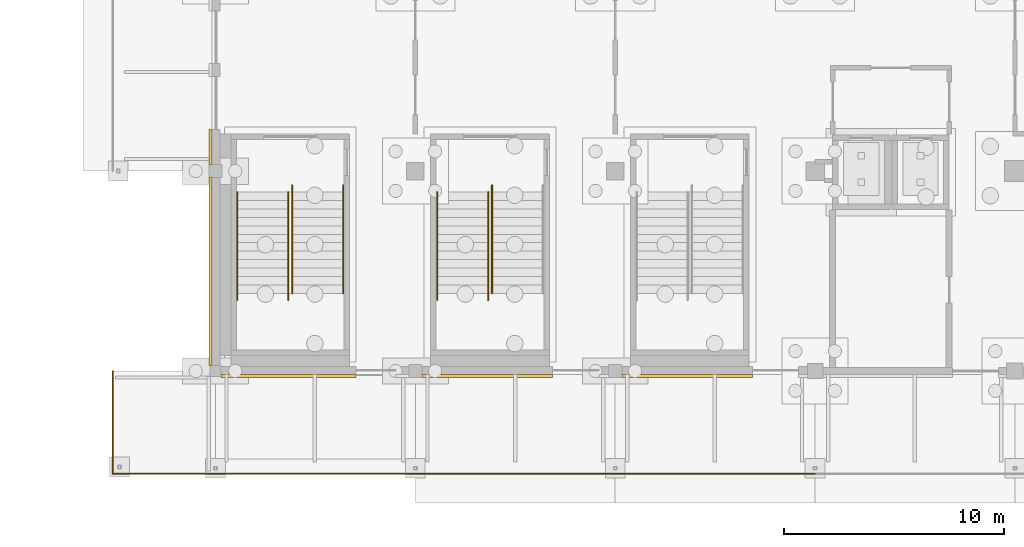
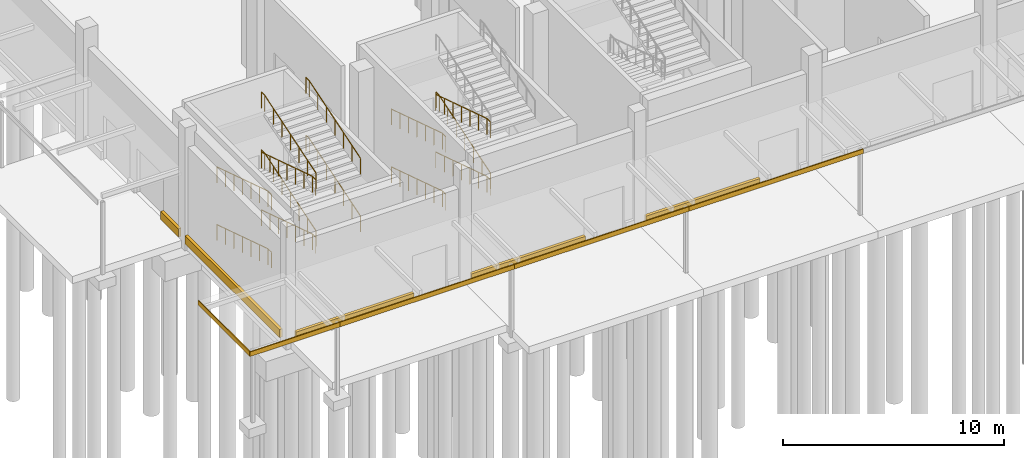
# One storey, part 101 of 129: 13 railings, 10 coverings.
"""IFC4 building model written with IfcOpenShell, lengths in metres."""

import ifcopenshell
import ifcopenshell.guid

model = None  # the IFC model being written
_history = None  # IfcOwnerHistory: only IFC2X3 demands one
_inside = {}  # id of a spatial element -> (the spatial element, [elements in it])
_under = {}  # id of a project, library or spatial element -> (it, [spatial elements below it])
_declared = {}  # id of a project -> (the project, [libraries it declares])
_typed = {}  # id of a type object -> (the type object, [elements of that type])
_made_of = {}  # id of a material, layer set ... -> (it, [elements and type objects made of it])


def new_model(schema):
    """Start an empty IFC model of exactly this schema.

    Asked for "IFC4X3", IfcOpenShell would pick the latest addendum, in which some entities
    have other attributes; the version numbers below select the first issue.
    IFC2X3 requires an IfcOwnerHistory on every rooted entity: one is made here for all.
    """
    global model, _history
    if schema == "IFC4X3":
        model = ifcopenshell.file(schema_version=(4, 3, 0, 0))
    else:
        model = ifcopenshell.file(schema=schema)
    _inside.clear()
    _under.clear()
    _declared.clear()
    _typed.clear()
    _made_of.clear()
    _history = None
    if model.schema == "IFC2X3":
        org = make("IfcOrganization", Name="unknown")
        user = make(
            "IfcPersonAndOrganization",
            ThePerson=make("IfcPerson", FamilyName="unknown"),
            TheOrganization=org,
        )
        app = make(
            "IfcApplication",
            ApplicationDeveloper=org,
            Version="unknown",
            ApplicationFullName="unknown",
            ApplicationIdentifier="unknown",
        )
        _history = make(
            "IfcOwnerHistory",
            OwningUser=user,
            OwningApplication=app,
            ChangeAction="ADDED",
            CreationDate=0,
        )
    return model


def make(cls, **values):
    """One entity of the class cls with the attributes given. An attribute that is None is left unset."""
    return model.create_entity(
        cls, **{name: value for name, value in values.items() if value is not None}
    )


def rooted(cls, **values):
    """An entity with a GlobalId (a new one), such as an element, a storey or a relation."""
    return make(cls, GlobalId=ifcopenshell.guid.new(), OwnerHistory=_history, **values)


def si_unit(unit_type, name, prefix=None):
    """IfcSIUnit, for example si_unit("LENGTHUNIT", "METRE", prefix="MILLI")."""
    return make("IfcSIUnit", UnitType=unit_type, Prefix=prefix, Name=name)


def assignment(units):
    """IfcUnitAssignment: the units of a project."""
    return None if units is None else make("IfcUnitAssignment", Units=units)


def point(xyz):
    """IfcCartesianPoint."""
    return None if xyz is None else make("IfcCartesianPoint", Coordinates=xyz)


def direction(xyz):
    """IfcDirection."""
    return None if xyz is None else make("IfcDirection", DirectionRatios=xyz)


def frame(location, z_axis=None, x_axis=None):
    """IfcAxis2Placement3D, a coordinate frame: its origin and axes. An axis left out is left unset."""
    return make(
        "IfcAxis2Placement3D",
        Location=point(location),
        Axis=direction(z_axis),
        RefDirection=direction(x_axis),
    )


def frame_2d(location, x_axis=None):
    """IfcAxis2Placement2D, a coordinate frame in the plane: its origin and x axis."""
    return make(
        "IfcAxis2Placement2D", Location=point(location), RefDirection=direction(x_axis)
    )


def origin():
    """The frame at (0, 0, 0) with its axes left unset."""
    return frame((0.0, 0.0, 0.0))


def origin_2d():
    """The frame at (0, 0) in the plane with its x axis left unset."""
    return frame_2d((0.0, 0.0))


def place(relative_to, where):
    """IfcLocalPlacement: puts the frame where relative to a parent placement (None: the world)."""
    return make(
        "IfcLocalPlacement", PlacementRelTo=relative_to, RelativePlacement=where
    )


def context(
    kind, dimensions, precision=None, world=None, true_north=None, identifier=None
):
    """IfcGeometricRepresentationContext, for example the 3D "Model" context."""
    return make(
        "IfcGeometricRepresentationContext",
        ContextIdentifier=identifier,
        ContextType=kind,
        CoordinateSpaceDimension=dimensions,
        Precision=precision,
        WorldCoordinateSystem=world,
        TrueNorth=true_north,
    )


def subcontext(parent, identifier, kind, view, scale=None):
    """IfcGeometricRepresentationSubContext, for example "Body" below "Model"."""
    return make(
        "IfcGeometricRepresentationSubContext",
        ContextIdentifier=identifier,
        ContextType=kind,
        ParentContext=parent,
        TargetScale=scale,
        TargetView=view,
    )


def project(units=None, contexts=None):
    """IfcProject with its units and contexts."""
    return rooted(
        "IfcProject",
        Name="project",
        RepresentationContexts=contexts,
        UnitsInContext=assignment(units),
    )


def spatial(cls, under=None, at=None, **own):
    """A site, building, storey or space (cls), placed at a placement, below another one or the project."""
    s = rooted(cls, ObjectPlacement=at, **own)
    if under is not None:
        _under.setdefault(under.id(), (under, []))[1].append(s)
    return s


def profile(cls, at=None, kind="AREA", **sizes):
    """A parametric profile (cls). Its sizes go by their IFC names, for example OverallWidth=200.0."""
    return make(cls, ProfileType=kind, Position=at, **sizes)


def rectangle(**sizes):
    """IfcRectangleProfileDef."""
    return profile("IfcRectangleProfileDef", **sizes)


def circle(**sizes):
    """IfcCircleProfileDef."""
    return profile("IfcCircleProfileDef", **sizes)


def extrude(swept, where, along, depth):
    """IfcExtrudedAreaSolid: the profile swept, set in the frame where, extruded along a direction by depth."""
    return make(
        "IfcExtrudedAreaSolid",
        SweptArea=swept,
        Position=where,
        ExtrudedDirection=direction(along),
        Depth=depth,
    )


def shape(context_of_items, identifier, shape_type, items):
    """IfcShapeRepresentation: the items that make up one representation, for example the "Body"."""
    return make(
        "IfcShapeRepresentation",
        ContextOfItems=context_of_items,
        RepresentationIdentifier=identifier,
        RepresentationType=shape_type,
        Items=items,
    )


def material(Name=None, Category=None):
    """IfcMaterial."""
    return make("IfcMaterial", Name=Name, Category=Category)


def layer(
    of_material, thickness, ventilated=None, Name=None, Category=None, Priority=None
):
    """IfcMaterialLayer: one layer of a wall or slab, of a material (None: an air gap)."""
    return make(
        "IfcMaterialLayer",
        Material=of_material,
        LayerThickness=thickness,
        IsVentilated=ventilated,
        Name=Name,
        Category=Category,
        Priority=Priority,
    )


def layer_set(layers, Name=None):
    """IfcMaterialLayerSet."""
    return make("IfcMaterialLayerSet", MaterialLayers=layers, LayerSetName=Name)


def made_of(thing, what):
    """Note that an element or type object is made of a material, layer set ...; save() writes the relation."""
    if what is not None:
        _made_of.setdefault(what.id(), (what, []))[1].append(thing)
    return thing


def type_object(cls, material=None, **own):
    """A type object (cls), such as IfcWallType, which elements share."""
    return made_of(rooted(cls, **own), material)


def element(
    cls,
    number,
    at=None,
    inside=None,
    cuts=None,
    type_object=None,
    material=None,
    context=None,
    identifier="Body",
    shape_type=None,
    held_by="IfcProductDefinitionShape",
    body=None,
    shapes=None,
    **own,
):
    """One element of the class cls, such as IfcWall. Its Tag is "e" and its number.

    at: its placement. inside: the storey or other place that contains it. cuts: it is an
    opening in that element (IfcRelVoidsElement). A single representation is given by context,
    identifier, shape_type and body (its items); several are given by shapes. held_by: the class
    of the entity that holds the representations. save() writes the other relations.
    """
    e = rooted(cls, Tag="e%d" % number, ObjectPlacement=at, **own)
    if body is not None:
        shapes = [shape(context, identifier, shape_type, body)]
    if shapes is not None:
        e.Representation = make(held_by, Representations=shapes)
    if inside is not None:
        _inside.setdefault(inside.id(), (inside, []))[1].append(e)
    if cuts is not None:
        rooted(
            "IfcRelVoidsElement", RelatingBuildingElement=cuts, RelatedOpeningElement=e
        )
    if type_object is not None:
        _typed.setdefault(type_object.id(), (type_object, []))[1].append(e)
    return made_of(e, material)


def aggregate(whole, parts):
    """IfcRelAggregates: a whole, such as a stair, and the parts it consists of."""
    return rooted("IfcRelAggregates", RelatingObject=whole, RelatedObjects=parts)


def save(model, path):
    """Write the relations noted so far, then the file.

    IfcRelAggregates (storeys below a building ...), IfcRelContainedInSpatialStructure (elements
    in a storey), IfcRelDefinesByType, IfcRelAssociatesMaterial and IfcRelDeclares: one each for
    every whole, place, type object, material and project.
    """
    for whole, parts in _under.values():
        aggregate(whole, parts)
    for where, things in _inside.values():
        rooted(
            "IfcRelContainedInSpatialStructure",
            RelatedElements=things,
            RelatingStructure=where,
        )
    for kind, things in _typed.values():
        rooted("IfcRelDefinesByType", RelatedObjects=things, RelatingType=kind)
    for what, things in _made_of.values():
        rooted("IfcRelAssociatesMaterial", RelatedObjects=things, RelatingMaterial=what)
    for by, libraries in _declared.values():
        rooted("IfcRelDeclares", RelatingContext=by, RelatedDefinitions=libraries)
    model.write(path)


model = new_model("IFC4")

# Units and contexts
model_context = context("Model", 3, precision=1e-05, world=origin(), true_north=direction((0.0, 1.0)))
body_context = subcontext(model_context, "Body", "Model", "MODEL_VIEW")
ifc_project = project(units=[si_unit("LENGTHUNIT", "METRE"), si_unit("AREAUNIT", "SQUARE_METRE"), si_unit("VOLUMEUNIT", "CUBIC_METRE"), si_unit("PLANEANGLEUNIT", "RADIAN"), si_unit("MASSUNIT", "GRAM", prefix="KILO")], contexts=[model_context])

# Site, building, storey
site_placement = place(None, origin())
site = spatial("IfcSite", under=ifc_project, at=site_placement, CompositionType="ELEMENT")
building_placement = place(site_placement, origin())
building = spatial("IfcBuilding", under=site, at=building_placement, Name="Shirokan Park Arena", CompositionType="ELEMENT")
storey_placement = place(building_placement, origin())
storey = spatial("IfcBuildingStorey", under=building, at=storey_placement, Name="L00", CompositionType="ELEMENT", Elevation=0.0)

# Coverings
ifc_material_1 = material(Name="Timber fascia (cedar)", Category="wood")
ifc_layer_1 = layer(ifc_material_1, 0.050048828125)
ifc_layer_set_1 = layer_set([ifc_layer_1], Name="Timber fascia (cedar) 50 mm")
covering_type_1 = type_object("IfcCoveringType", Name="Canopy fascia 50x250", PredefinedType="CLADDING", material=ifc_layer_set_1)
for number, where, z_axis, x_axis, name in (
    (1, (4.550048828125, -4.675048828125, 3.5), (0.0, 0.0, 1.0), (1.0, 0.0, 0.0), "Canopy fascia south bay 1"),
    (2, (13.64990234375, -4.675048828125, 3.5), (0.0, 0.0, 1.0), (1.0, 0.0, 0.0), "Canopy fascia south bay 2"),
    (3, (22.75, -4.675048828125, 3.5), (0.0, 0.0, 1.0), (1.0, 0.0, 0.0), "Canopy fascia south bay 3"),
):
    element("IfcCovering", number, at=place(storey_placement, frame(where, z_axis=z_axis, x_axis=x_axis)), inside=storey, type_object=covering_type_1, Name=name, PredefinedType="CLADDING", context=body_context, shape_type="SweptSolid", body=[
        extrude(rectangle(XDim=9.10009765625, YDim=0.050048828125, at=origin_2d()), origin(), (0.0, 0.0, 1.0), 0.25),
    ])
covering_1_placement = place(storey_placement, frame((-2.35009765625, -4.675048828125, 3.5), z_axis=(0.0, 0.0, 1.0), x_axis=(1.0, 0.0, 0.0)))
element("IfcCovering", 4, at=covering_1_placement, inside=storey, type_object=covering_type_1, Name="Canopy fascia SW corner 1", PredefinedType="CLADDING", context=body_context, shape_type="SweptSolid", body=[
    extrude(rectangle(XDim=4.699951171875, YDim=0.050048828125, at=origin_2d()), origin(), (0.0, 0.0, 1.0), 0.25),
])
covering_2_placement = place(storey_placement, frame((-4.675048828125, -2.324951171875, 3.5), z_axis=(0.0, 0.0, 1.0), x_axis=(1.0, 0.0, 0.0)))
element("IfcCovering", 5, at=covering_2_placement, inside=storey, type_object=covering_type_1, Name="Canopy fascia SW corner 2", PredefinedType="CLADDING", context=body_context, shape_type="SweptSolid", body=[
    extrude(rectangle(XDim=0.050048828125, YDim=4.64990234375, at=origin_2d()), origin(), (0.0, 0.0, 1.0), 0.25),
])

# Railings
ifc_material_2 = material(Name="Stainless steel", Category="steel")
railing_type = type_object("IfcRailingType", Name="Stair handrail 900", PredefinedType="HANDRAIL", material=ifc_material_2)
railing_1_placement = place(storey_placement, frame((0.989990234375, 8.14990234375, 0.12255859375)))
element("IfcRailing", 6, at=railing_1_placement, inside=storey, type_object=railing_type, Name="Handrail Exit Stair 1.A L00 to L01", PredefinedType="HANDRAIL", context=body_context, shape_type="SweptSolid", body=[
    extrude(circle(Radius=0.02392578125, at=origin_2d()), frame((0.0, 0.0, 0.8759765625), z_axis=(0.0, -0.952915858112, 0.303234838629), x_axis=(1.0, 0.0, 0.0)), (0.0, 0.0, 1.0), 1.615966796875),
    extrude(circle(Radius=0.02392578125, at=origin_2d()), frame((0.0, -1.539794921875, 1.36572265625), z_axis=(0.0, -0.952929747917, 0.303191186441), x_axis=(1.0, 0.0, 0.0)), (0.0, 0.0, 1.0), 1.6162109375),
    extrude(circle(Radius=0.02392578125, at=origin_2d()), frame((0.0, -3.079833984375, 1.85595703125), z_axis=(0.0, -0.952929747917, 0.303191186441), x_axis=(1.0, 0.0, 0.0)), (0.0, 0.0, 1.0), 1.6162109375),
    extrude(circle(Radius=0.02392578125, at=origin_2d()), frame((0.0, -4.619873046875, 2.345703125), z_axis=(0.0, -1.0, 0.0), x_axis=(1.0, 0.0, 0.0)), (0.0, 0.0, 1.0), 0.300048828125),
    extrude(circle(Radius=0.02099609375, at=origin_2d()), origin(), (0.0, 0.0, 1.0), 0.851806640625),
    extrude(circle(Radius=0.02099609375, at=origin_2d()), frame((0.0, -0.77001953125, 0.2451171875)), (0.0, 0.0, 1.0), 0.851806640625),
    extrude(circle(Radius=0.02099609375, at=origin_2d()), frame((0.0, -1.539794921875, 0.489990234375)), (0.0, 0.0, 1.0), 0.851806640625),
    extrude(circle(Radius=0.02099609375, at=origin_2d()), frame((0.0, -2.309814453125, 0.73486328125)), (0.0, 0.0, 1.0), 0.851806640625),
    extrude(circle(Radius=0.02099609375, at=origin_2d()), frame((0.0, -3.079833984375, 0.97998046875)), (0.0, 0.0, 1.0), 0.851806640625),
    extrude(circle(Radius=0.02099609375, at=origin_2d()), frame((0.0, -3.849853515625, 1.22509765625)), (0.0, 0.0, 1.0), 0.851806640625),
    extrude(circle(Radius=0.02099609375, at=origin_2d()), frame((0.0, -4.619873046875, 1.469970703125)), (0.0, 0.0, 1.0), 0.851806640625),
    extrude(circle(Radius=0.02099609375, at=origin_2d()), frame((0.0, -4.919921875, 1.469970703125)), (0.0, 0.0, 1.0), 0.851806640625),
])
railing_2_placement = place(storey_placement, frame((3.31005859375, 8.14990234375, 0.12255859375)))
element("IfcRailing", 7, at=railing_2_placement, inside=storey, type_object=railing_type, Name="Handrail Exit Stair 1.A L00 to L01", PredefinedType="HANDRAIL", context=body_context, shape_type="SweptSolid", body=[
    extrude(circle(Radius=0.02392578125, at=origin_2d()), frame((0.0, 0.0, 0.8759765625), z_axis=(0.0, -0.952915858112, 0.303234838629), x_axis=(1.0, 0.0, 0.0)), (0.0, 0.0, 1.0), 1.615966796875),
    extrude(circle(Radius=0.02392578125, at=origin_2d()), frame((0.0, -1.539794921875, 1.36572265625), z_axis=(0.0, -0.952929747917, 0.303191186441), x_axis=(1.0, 0.0, 0.0)), (0.0, 0.0, 1.0), 1.6162109375),
    extrude(circle(Radius=0.02392578125, at=origin_2d()), frame((0.0, -3.079833984375, 1.85595703125), z_axis=(0.0, -0.952929747917, 0.303191186441), x_axis=(1.0, 0.0, 0.0)), (0.0, 0.0, 1.0), 1.6162109375),
    extrude(circle(Radius=0.02392578125, at=origin_2d()), frame((0.0, -4.619873046875, 2.345703125), z_axis=(0.0, -1.0, 0.0), x_axis=(1.0, 0.0, 0.0)), (0.0, 0.0, 1.0), 0.300048828125),
    extrude(circle(Radius=0.02099609375, at=origin_2d()), origin(), (0.0, 0.0, 1.0), 0.851806640625),
    extrude(circle(Radius=0.02099609375, at=origin_2d()), frame((0.0, -0.77001953125, 0.2451171875)), (0.0, 0.0, 1.0), 0.851806640625),
    extrude(circle(Radius=0.02099609375, at=origin_2d()), frame((0.0, -1.539794921875, 0.489990234375)), (0.0, 0.0, 1.0), 0.851806640625),
    extrude(circle(Radius=0.02099609375, at=origin_2d()), frame((0.0, -2.309814453125, 0.73486328125)), (0.0, 0.0, 1.0), 0.851806640625),
    extrude(circle(Radius=0.02099609375, at=origin_2d()), frame((0.0, -3.079833984375, 0.97998046875)), (0.0, 0.0, 1.0), 0.851806640625),
    extrude(circle(Radius=0.02099609375, at=origin_2d()), frame((0.0, -3.849853515625, 1.22509765625)), (0.0, 0.0, 1.0), 0.851806640625),
    extrude(circle(Radius=0.02099609375, at=origin_2d()), frame((0.0, -4.619873046875, 1.469970703125)), (0.0, 0.0, 1.0), 0.851806640625),
    extrude(circle(Radius=0.02099609375, at=origin_2d()), frame((0.0, -4.919921875, 1.469970703125)), (0.0, 0.0, 1.0), 0.851806640625),
])
railing_3_placement = place(storey_placement, frame((3.489990234375, 3.530029296875, 1.715087890625)))
element("IfcRailing", 8, at=railing_3_placement, inside=storey, type_object=railing_type, Name="Handrail Exit Stair 1.A L00 to L01", PredefinedType="HANDRAIL", context=body_context, shape_type="SweptSolid", body=[
    extrude(circle(Radius=0.02392578125, at=origin_2d()), frame((0.0, 0.0, 0.8759765625), z_axis=(0.0, 0.952929747917, 0.303191186441), x_axis=(-1.0, 0.0, 0.0)), (0.0, 0.0, 1.0), 1.6162109375),
    extrude(circle(Radius=0.02392578125, at=origin_2d()), frame((0.0, 1.5400390625, 1.36572265625), z_axis=(0.0, 0.952929747917, 0.303191186441), x_axis=(-1.0, 0.0, 0.0)), (0.0, 0.0, 1.0), 1.6162109375),
    extrude(circle(Radius=0.02392578125, at=origin_2d()), frame((0.0, 3.080078125, 1.85595703125), z_axis=(0.0, 0.952915858112, 0.303234838629), x_axis=(-1.0, 0.0, 0.0)), (0.0, 0.0, 1.0), 1.615966796875),
    extrude(circle(Radius=0.02392578125, at=origin_2d()), frame((0.0, 4.619873046875, 2.345703125), z_axis=(0.0, 1.0, 0.0), x_axis=(-1.0, 0.0, 0.0)), (0.0, 0.0, 1.0), 0.300048828125),
    extrude(circle(Radius=0.02099609375, at=origin_2d()), origin(), (0.0, 0.0, 1.0), 0.851806640625),
    extrude(circle(Radius=0.02099609375, at=origin_2d()), frame((0.0, 0.77001953125, 0.2451171875)), (0.0, 0.0, 1.0), 0.851806640625),
    extrude(circle(Radius=0.02099609375, at=origin_2d()), frame((0.0, 1.5400390625, 0.489990234375)), (0.0, 0.0, 1.0), 0.851806640625),
    extrude(circle(Radius=0.02099609375, at=origin_2d()), frame((0.0, 2.31005859375, 0.73486328125)), (0.0, 0.0, 1.0), 0.851806640625),
    extrude(circle(Radius=0.02099609375, at=origin_2d()), frame((0.0, 3.080078125, 0.97998046875)), (0.0, 0.0, 1.0), 0.851806640625),
    extrude(circle(Radius=0.02099609375, at=origin_2d()), frame((0.0, 3.85009765625, 1.22509765625)), (0.0, 0.0, 1.0), 0.851806640625),
    extrude(circle(Radius=0.02099609375, at=origin_2d()), frame((0.0, 4.619873046875, 1.469970703125)), (0.0, 0.0, 1.0), 0.851806640625),
    extrude(circle(Radius=0.02099609375, at=origin_2d()), frame((0.0, 4.919921875, 1.469970703125)), (0.0, 0.0, 1.0), 0.851806640625),
])
railing_4_placement = place(storey_placement, frame((5.81005859375, 3.530029296875, 1.715087890625)))
element("IfcRailing", 9, at=railing_4_placement, inside=storey, type_object=railing_type, Name="Handrail Exit Stair 1.A L00 to L01", PredefinedType="HANDRAIL", context=body_context, shape_type="SweptSolid", body=[
    extrude(circle(Radius=0.02392578125, at=origin_2d()), frame((0.0, 0.0, 0.8759765625), z_axis=(0.0, 0.952929747917, 0.303191186441), x_axis=(-1.0, 0.0, 0.0)), (0.0, 0.0, 1.0), 1.6162109375),
    extrude(circle(Radius=0.02392578125, at=origin_2d()), frame((0.0, 1.5400390625, 1.36572265625), z_axis=(0.0, 0.952929747917, 0.303191186441), x_axis=(-1.0, 0.0, 0.0)), (0.0, 0.0, 1.0), 1.6162109375),
    extrude(circle(Radius=0.02392578125, at=origin_2d()), frame((0.0, 3.080078125, 1.85595703125), z_axis=(0.0, 0.952915858112, 0.303234838629), x_axis=(-1.0, 0.0, 0.0)), (0.0, 0.0, 1.0), 1.615966796875),
    extrude(circle(Radius=0.02392578125, at=origin_2d()), frame((0.0, 4.619873046875, 2.345703125), z_axis=(0.0, 1.0, 0.0), x_axis=(-1.0, 0.0, 0.0)), (0.0, 0.0, 1.0), 0.300048828125),
    extrude(circle(Radius=0.02099609375, at=origin_2d()), origin(), (0.0, 0.0, 1.0), 0.851806640625),
    extrude(circle(Radius=0.02099609375, at=origin_2d()), frame((0.0, 0.77001953125, 0.2451171875)), (0.0, 0.0, 1.0), 0.851806640625),
    extrude(circle(Radius=0.02099609375, at=origin_2d()), frame((0.0, 1.5400390625, 0.489990234375)), (0.0, 0.0, 1.0), 0.851806640625),
    extrude(circle(Radius=0.02099609375, at=origin_2d()), frame((0.0, 2.31005859375, 0.73486328125)), (0.0, 0.0, 1.0), 0.851806640625),
    extrude(circle(Radius=0.02099609375, at=origin_2d()), frame((0.0, 3.080078125, 0.97998046875)), (0.0, 0.0, 1.0), 0.851806640625),
    extrude(circle(Radius=0.02099609375, at=origin_2d()), frame((0.0, 3.85009765625, 1.22509765625)), (0.0, 0.0, 1.0), 0.851806640625),
    extrude(circle(Radius=0.02099609375, at=origin_2d()), frame((0.0, 4.619873046875, 1.469970703125)), (0.0, 0.0, 1.0), 0.851806640625),
    extrude(circle(Radius=0.02099609375, at=origin_2d()), frame((0.0, 4.919921875, 1.469970703125)), (0.0, 0.0, 1.0), 0.851806640625),
])
railing_5_placement = place(storey_placement, frame((0.989990234375, 8.14990234375, 3.3076171875)))
element("IfcRailing", 10, at=railing_5_placement, inside=storey, type_object=railing_type, Name="Handrail Exit Stair 1.A L00 to L01", PredefinedType="HANDRAIL", context=body_context, shape_type="SweptSolid", body=[
    extrude(circle(Radius=0.02392578125, at=origin_2d()), frame((0.0, 0.0, 0.8759765625), z_axis=(0.0, -0.952915858112, 0.303234838629), x_axis=(1.0, 0.0, 0.0)), (0.0, 0.0, 1.0), 1.615966796875),
    extrude(circle(Radius=0.02392578125, at=origin_2d()), frame((0.0, -1.539794921875, 1.36572265625), z_axis=(0.0, -0.952929747917, 0.303191186441), x_axis=(1.0, 0.0, 0.0)), (0.0, 0.0, 1.0), 1.6162109375),
    extrude(circle(Radius=0.02392578125, at=origin_2d()), frame((0.0, -3.079833984375, 1.85595703125), z_axis=(0.0, -0.952929747917, 0.303191186441), x_axis=(1.0, 0.0, 0.0)), (0.0, 0.0, 1.0), 1.6162109375),
    extrude(circle(Radius=0.02392578125, at=origin_2d()), frame((0.0, -4.619873046875, 2.345703125), z_axis=(0.0, -1.0, 0.0), x_axis=(1.0, 0.0, 0.0)), (0.0, 0.0, 1.0), 0.300048828125),
    extrude(circle(Radius=0.02099609375, at=origin_2d()), origin(), (0.0, 0.0, 1.0), 0.851806640625),
    extrude(circle(Radius=0.02099609375, at=origin_2d()), frame((0.0, -0.77001953125, 0.2451171875)), (0.0, 0.0, 1.0), 0.851806640625),
    extrude(circle(Radius=0.02099609375, at=origin_2d()), frame((0.0, -1.539794921875, 0.489990234375)), (0.0, 0.0, 1.0), 0.851806640625),
    extrude(circle(Radius=0.02099609375, at=origin_2d()), frame((0.0, -2.309814453125, 0.73486328125)), (0.0, 0.0, 1.0), 0.851806640625),
    extrude(circle(Radius=0.02099609375, at=origin_2d()), frame((0.0, -3.079833984375, 0.97998046875)), (0.0, 0.0, 1.0), 0.851806640625),
    extrude(circle(Radius=0.02099609375, at=origin_2d()), frame((0.0, -3.849853515625, 1.22509765625)), (0.0, 0.0, 1.0), 0.851806640625),
    extrude(circle(Radius=0.02099609375, at=origin_2d()), frame((0.0, -4.619873046875, 1.469970703125)), (0.0, 0.0, 1.0), 0.851806640625),
    extrude(circle(Radius=0.02099609375, at=origin_2d()), frame((0.0, -4.919921875, 1.469970703125)), (0.0, 0.0, 1.0), 0.851806640625),
])
railing_6_placement = place(storey_placement, frame((3.31005859375, 8.14990234375, 3.3076171875)))
element("IfcRailing", 11, at=railing_6_placement, inside=storey, type_object=railing_type, Name="Handrail Exit Stair 1.A L00 to L01", PredefinedType="HANDRAIL", context=body_context, shape_type="SweptSolid", body=[
    extrude(circle(Radius=0.02392578125, at=origin_2d()), frame((0.0, 0.0, 0.8759765625), z_axis=(0.0, -0.952915858112, 0.303234838629), x_axis=(1.0, 0.0, 0.0)), (0.0, 0.0, 1.0), 1.615966796875),
    extrude(circle(Radius=0.02392578125, at=origin_2d()), frame((0.0, -1.539794921875, 1.36572265625), z_axis=(0.0, -0.952929747917, 0.303191186441), x_axis=(1.0, 0.0, 0.0)), (0.0, 0.0, 1.0), 1.6162109375),
    extrude(circle(Radius=0.02392578125, at=origin_2d()), frame((0.0, -3.079833984375, 1.85595703125), z_axis=(0.0, -0.952929747917, 0.303191186441), x_axis=(1.0, 0.0, 0.0)), (0.0, 0.0, 1.0), 1.6162109375),
    extrude(circle(Radius=0.02392578125, at=origin_2d()), frame((0.0, -4.619873046875, 2.345703125), z_axis=(0.0, -1.0, 0.0), x_axis=(1.0, 0.0, 0.0)), (0.0, 0.0, 1.0), 0.300048828125),
    extrude(circle(Radius=0.02099609375, at=origin_2d()), origin(), (0.0, 0.0, 1.0), 0.851806640625),
    extrude(circle(Radius=0.02099609375, at=origin_2d()), frame((0.0, -0.77001953125, 0.2451171875)), (0.0, 0.0, 1.0), 0.851806640625),
    extrude(circle(Radius=0.02099609375, at=origin_2d()), frame((0.0, -1.539794921875, 0.489990234375)), (0.0, 0.0, 1.0), 0.851806640625),
    extrude(circle(Radius=0.02099609375, at=origin_2d()), frame((0.0, -2.309814453125, 0.73486328125)), (0.0, 0.0, 1.0), 0.851806640625),
    extrude(circle(Radius=0.02099609375, at=origin_2d()), frame((0.0, -3.079833984375, 0.97998046875)), (0.0, 0.0, 1.0), 0.851806640625),
    extrude(circle(Radius=0.02099609375, at=origin_2d()), frame((0.0, -3.849853515625, 1.22509765625)), (0.0, 0.0, 1.0), 0.851806640625),
    extrude(circle(Radius=0.02099609375, at=origin_2d()), frame((0.0, -4.619873046875, 1.469970703125)), (0.0, 0.0, 1.0), 0.851806640625),
    extrude(circle(Radius=0.02099609375, at=origin_2d()), frame((0.0, -4.919921875, 1.469970703125)), (0.0, 0.0, 1.0), 0.851806640625),
])
railing_7_placement = place(storey_placement, frame((3.489990234375, 3.530029296875, 4.89990234375)))
element("IfcRailing", 12, at=railing_7_placement, inside=storey, type_object=railing_type, Name="Handrail Exit Stair 1.A L00 to L01", PredefinedType="HANDRAIL", context=body_context, shape_type="SweptSolid", body=[
    extrude(circle(Radius=0.02392578125, at=origin_2d()), frame((0.0, 0.0, 0.8759765625), z_axis=(0.0, 0.952929747917, 0.303191186441), x_axis=(-1.0, 0.0, 0.0)), (0.0, 0.0, 1.0), 1.6162109375),
    extrude(circle(Radius=0.02392578125, at=origin_2d()), frame((0.0, 1.5400390625, 1.36572265625), z_axis=(0.0, 0.952929747917, 0.303191186441), x_axis=(-1.0, 0.0, 0.0)), (0.0, 0.0, 1.0), 1.6162109375),
    extrude(circle(Radius=0.02392578125, at=origin_2d()), frame((0.0, 3.080078125, 1.85595703125), z_axis=(0.0, 0.952872192083, 0.303372025004), x_axis=(-1.0, 0.0, 0.0)), (0.0, 0.0, 1.0), 1.615966796875),
    extrude(circle(Radius=0.02392578125, at=origin_2d()), frame((0.0, 4.619873046875, 2.34619140625), z_axis=(0.0, 1.0, 0.0), x_axis=(-1.0, 0.0, 0.0)), (0.0, 0.0, 1.0), 0.300048828125),
    extrude(circle(Radius=0.02099609375, at=origin_2d()), origin(), (0.0, 0.0, 1.0), 0.851806640625),
    extrude(circle(Radius=0.02099609375, at=origin_2d()), frame((0.0, 0.77001953125, 0.2451171875)), (0.0, 0.0, 1.0), 0.851806640625),
    extrude(circle(Radius=0.02099609375, at=origin_2d()), frame((0.0, 1.5400390625, 0.489990234375)), (0.0, 0.0, 1.0), 0.851806640625),
    extrude(circle(Radius=0.02099609375, at=origin_2d()), frame((0.0, 2.31005859375, 0.73486328125)), (0.0, 0.0, 1.0), 0.851806640625),
    extrude(circle(Radius=0.02099609375, at=origin_2d()), frame((0.0, 3.080078125, 0.97998046875)), (0.0, 0.0, 1.0), 0.851806640625),
    extrude(circle(Radius=0.02099609375, at=origin_2d()), frame((0.0, 3.85009765625, 1.22509765625)), (0.0, 0.0, 1.0), 0.851806640625),
    extrude(circle(Radius=0.02099609375, at=origin_2d()), frame((0.0, 4.619873046875, 1.47021484375)), (0.0, 0.0, 1.0), 0.851806640625),
    extrude(circle(Radius=0.02099609375, at=origin_2d()), frame((0.0, 4.919921875, 1.47021484375)), (0.0, 0.0, 1.0), 0.851806640625),
])
railing_8_placement = place(storey_placement, frame((5.81005859375, 3.530029296875, 4.89990234375)))
element("IfcRailing", 13, at=railing_8_placement, inside=storey, type_object=railing_type, Name="Handrail Exit Stair 1.A L00 to L01", PredefinedType="HANDRAIL", context=body_context, shape_type="SweptSolid", body=[
    extrude(circle(Radius=0.02392578125, at=origin_2d()), frame((0.0, 0.0, 0.8759765625), z_axis=(0.0, 0.952929747917, 0.303191186441), x_axis=(-1.0, 0.0, 0.0)), (0.0, 0.0, 1.0), 1.6162109375),
    extrude(circle(Radius=0.02392578125, at=origin_2d()), frame((0.0, 1.5400390625, 1.36572265625), z_axis=(0.0, 0.952929747917, 0.303191186441), x_axis=(-1.0, 0.0, 0.0)), (0.0, 0.0, 1.0), 1.6162109375),
    extrude(circle(Radius=0.02392578125, at=origin_2d()), frame((0.0, 3.080078125, 1.85595703125), z_axis=(0.0, 0.952872192083, 0.303372025004), x_axis=(-1.0, 0.0, 0.0)), (0.0, 0.0, 1.0), 1.615966796875),
    extrude(circle(Radius=0.02392578125, at=origin_2d()), frame((0.0, 4.619873046875, 2.34619140625), z_axis=(0.0, 1.0, 0.0), x_axis=(-1.0, 0.0, 0.0)), (0.0, 0.0, 1.0), 0.300048828125),
    extrude(circle(Radius=0.02099609375, at=origin_2d()), origin(), (0.0, 0.0, 1.0), 0.851806640625),
    extrude(circle(Radius=0.02099609375, at=origin_2d()), frame((0.0, 0.77001953125, 0.2451171875)), (0.0, 0.0, 1.0), 0.851806640625),
    extrude(circle(Radius=0.02099609375, at=origin_2d()), frame((0.0, 1.5400390625, 0.489990234375)), (0.0, 0.0, 1.0), 0.851806640625),
    extrude(circle(Radius=0.02099609375, at=origin_2d()), frame((0.0, 2.31005859375, 0.73486328125)), (0.0, 0.0, 1.0), 0.851806640625),
    extrude(circle(Radius=0.02099609375, at=origin_2d()), frame((0.0, 3.080078125, 0.97998046875)), (0.0, 0.0, 1.0), 0.851806640625),
    extrude(circle(Radius=0.02099609375, at=origin_2d()), frame((0.0, 3.85009765625, 1.22509765625)), (0.0, 0.0, 1.0), 0.851806640625),
    extrude(circle(Radius=0.02099609375, at=origin_2d()), frame((0.0, 4.619873046875, 1.47021484375)), (0.0, 0.0, 1.0), 0.851806640625),
    extrude(circle(Radius=0.02099609375, at=origin_2d()), frame((0.0, 4.919921875, 1.47021484375)), (0.0, 0.0, 1.0), 0.851806640625),
])
railing_9_placement = place(storey_placement, frame((10.090087890625, 8.14990234375, 0.12255859375)))
element("IfcRailing", 14, at=railing_9_placement, inside=storey, type_object=railing_type, Name="Handrail Exit Stair 1.B L00 to L01", PredefinedType="HANDRAIL", context=body_context, shape_type="SweptSolid", body=[
    extrude(circle(Radius=0.02392578125, at=origin_2d()), frame((0.0, 0.0, 0.8759765625), z_axis=(0.0, -0.952915858112, 0.303234838629), x_axis=(1.0, 0.0, 0.0)), (0.0, 0.0, 1.0), 1.615966796875),
    extrude(circle(Radius=0.02392578125, at=origin_2d()), frame((0.0, -1.539794921875, 1.36572265625), z_axis=(0.0, -0.952929747917, 0.303191186441), x_axis=(1.0, 0.0, 0.0)), (0.0, 0.0, 1.0), 1.6162109375),
    extrude(circle(Radius=0.02392578125, at=origin_2d()), frame((0.0, -3.079833984375, 1.85595703125), z_axis=(0.0, -0.952929747917, 0.303191186441), x_axis=(1.0, 0.0, 0.0)), (0.0, 0.0, 1.0), 1.6162109375),
    extrude(circle(Radius=0.02392578125, at=origin_2d()), frame((0.0, -4.619873046875, 2.345703125), z_axis=(0.0, -1.0, 0.0), x_axis=(1.0, 0.0, 0.0)), (0.0, 0.0, 1.0), 0.300048828125),
    extrude(circle(Radius=0.02099609375, at=origin_2d()), origin(), (0.0, 0.0, 1.0), 0.851806640625),
    extrude(circle(Radius=0.02099609375, at=origin_2d()), frame((0.0, -0.77001953125, 0.2451171875)), (0.0, 0.0, 1.0), 0.851806640625),
    extrude(circle(Radius=0.02099609375, at=origin_2d()), frame((0.0, -1.539794921875, 0.489990234375)), (0.0, 0.0, 1.0), 0.851806640625),
    extrude(circle(Radius=0.02099609375, at=origin_2d()), frame((0.0, -2.309814453125, 0.73486328125)), (0.0, 0.0, 1.0), 0.851806640625),
    extrude(circle(Radius=0.02099609375, at=origin_2d()), frame((0.0, -3.079833984375, 0.97998046875)), (0.0, 0.0, 1.0), 0.851806640625),
    extrude(circle(Radius=0.02099609375, at=origin_2d()), frame((0.0, -3.849853515625, 1.22509765625)), (0.0, 0.0, 1.0), 0.851806640625),
    extrude(circle(Radius=0.02099609375, at=origin_2d()), frame((0.0, -4.619873046875, 1.469970703125)), (0.0, 0.0, 1.0), 0.851806640625),
    extrude(circle(Radius=0.02099609375, at=origin_2d()), frame((0.0, -4.919921875, 1.469970703125)), (0.0, 0.0, 1.0), 0.851806640625),
])
railing_10_placement = place(storey_placement, frame((12.409912109375, 8.14990234375, 0.12255859375)))
element("IfcRailing", 15, at=railing_10_placement, inside=storey, type_object=railing_type, Name="Handrail Exit Stair 1.B L00 to L01", PredefinedType="HANDRAIL", context=body_context, shape_type="SweptSolid", body=[
    extrude(circle(Radius=0.02392578125, at=origin_2d()), frame((0.0, 0.0, 0.8759765625), z_axis=(0.0, -0.952915858112, 0.303234838629), x_axis=(1.0, 0.0, 0.0)), (0.0, 0.0, 1.0), 1.615966796875),
    extrude(circle(Radius=0.02392578125, at=origin_2d()), frame((0.0, -1.539794921875, 1.36572265625), z_axis=(0.0, -0.952929747917, 0.303191186441), x_axis=(1.0, 0.0, 0.0)), (0.0, 0.0, 1.0), 1.6162109375),
    extrude(circle(Radius=0.02392578125, at=origin_2d()), frame((0.0, -3.079833984375, 1.85595703125), z_axis=(0.0, -0.952929747917, 0.303191186441), x_axis=(1.0, 0.0, 0.0)), (0.0, 0.0, 1.0), 1.6162109375),
    extrude(circle(Radius=0.02392578125, at=origin_2d()), frame((0.0, -4.619873046875, 2.345703125), z_axis=(0.0, -1.0, 0.0), x_axis=(1.0, 0.0, 0.0)), (0.0, 0.0, 1.0), 0.300048828125),
    extrude(circle(Radius=0.02099609375, at=origin_2d()), origin(), (0.0, 0.0, 1.0), 0.851806640625),
    extrude(circle(Radius=0.02099609375, at=origin_2d()), frame((0.0, -0.77001953125, 0.2451171875)), (0.0, 0.0, 1.0), 0.851806640625),
    extrude(circle(Radius=0.02099609375, at=origin_2d()), frame((0.0, -1.539794921875, 0.489990234375)), (0.0, 0.0, 1.0), 0.851806640625),
    extrude(circle(Radius=0.02099609375, at=origin_2d()), frame((0.0, -2.309814453125, 0.73486328125)), (0.0, 0.0, 1.0), 0.851806640625),
    extrude(circle(Radius=0.02099609375, at=origin_2d()), frame((0.0, -3.079833984375, 0.97998046875)), (0.0, 0.0, 1.0), 0.851806640625),
    extrude(circle(Radius=0.02099609375, at=origin_2d()), frame((0.0, -3.849853515625, 1.22509765625)), (0.0, 0.0, 1.0), 0.851806640625),
    extrude(circle(Radius=0.02099609375, at=origin_2d()), frame((0.0, -4.619873046875, 1.469970703125)), (0.0, 0.0, 1.0), 0.851806640625),
    extrude(circle(Radius=0.02099609375, at=origin_2d()), frame((0.0, -4.919921875, 1.469970703125)), (0.0, 0.0, 1.0), 0.851806640625),
])
railing_11_placement = place(storey_placement, frame((12.590087890625, 3.530029296875, 1.715087890625)))
element("IfcRailing", 16, at=railing_11_placement, inside=storey, type_object=railing_type, Name="Handrail Exit Stair 1.B L00 to L01", PredefinedType="HANDRAIL", context=body_context, shape_type="SweptSolid", body=[
    extrude(circle(Radius=0.02392578125, at=origin_2d()), frame((0.0, 0.0, 0.8759765625), z_axis=(0.0, 0.952929747917, 0.303191186441), x_axis=(-1.0, 0.0, 0.0)), (0.0, 0.0, 1.0), 1.6162109375),
    extrude(circle(Radius=0.02392578125, at=origin_2d()), frame((0.0, 1.5400390625, 1.36572265625), z_axis=(0.0, 0.952929747917, 0.303191186441), x_axis=(-1.0, 0.0, 0.0)), (0.0, 0.0, 1.0), 1.6162109375),
    extrude(circle(Radius=0.02392578125, at=origin_2d()), frame((0.0, 3.080078125, 1.85595703125), z_axis=(0.0, 0.952915858112, 0.303234838629), x_axis=(-1.0, 0.0, 0.0)), (0.0, 0.0, 1.0), 1.615966796875),
    extrude(circle(Radius=0.02392578125, at=origin_2d()), frame((0.0, 4.619873046875, 2.345703125), z_axis=(0.0, 1.0, 0.0), x_axis=(-1.0, 0.0, 0.0)), (0.0, 0.0, 1.0), 0.300048828125),
    extrude(circle(Radius=0.02099609375, at=origin_2d()), origin(), (0.0, 0.0, 1.0), 0.851806640625),
    extrude(circle(Radius=0.02099609375, at=origin_2d()), frame((0.0, 0.77001953125, 0.2451171875)), (0.0, 0.0, 1.0), 0.851806640625),
    extrude(circle(Radius=0.02099609375, at=origin_2d()), frame((0.0, 1.5400390625, 0.489990234375)), (0.0, 0.0, 1.0), 0.851806640625),
    extrude(circle(Radius=0.02099609375, at=origin_2d()), frame((0.0, 2.31005859375, 0.73486328125)), (0.0, 0.0, 1.0), 0.851806640625),
    extrude(circle(Radius=0.02099609375, at=origin_2d()), frame((0.0, 3.080078125, 0.97998046875)), (0.0, 0.0, 1.0), 0.851806640625),
    extrude(circle(Radius=0.02099609375, at=origin_2d()), frame((0.0, 3.85009765625, 1.22509765625)), (0.0, 0.0, 1.0), 0.851806640625),
    extrude(circle(Radius=0.02099609375, at=origin_2d()), frame((0.0, 4.619873046875, 1.469970703125)), (0.0, 0.0, 1.0), 0.851806640625),
    extrude(circle(Radius=0.02099609375, at=origin_2d()), frame((0.0, 4.919921875, 1.469970703125)), (0.0, 0.0, 1.0), 0.851806640625),
])
railing_12_placement = place(storey_placement, frame((10.090087890625, 8.14990234375, 3.3076171875)))
element("IfcRailing", 17, at=railing_12_placement, inside=storey, type_object=railing_type, Name="Handrail Exit Stair 1.B L00 to L01", PredefinedType="HANDRAIL", context=body_context, shape_type="SweptSolid", body=[
    extrude(circle(Radius=0.02392578125, at=origin_2d()), frame((0.0, 0.0, 0.8759765625), z_axis=(0.0, -0.952915858112, 0.303234838629), x_axis=(1.0, 0.0, 0.0)), (0.0, 0.0, 1.0), 1.615966796875),
    extrude(circle(Radius=0.02392578125, at=origin_2d()), frame((0.0, -1.539794921875, 1.36572265625), z_axis=(0.0, -0.952929747917, 0.303191186441), x_axis=(1.0, 0.0, 0.0)), (0.0, 0.0, 1.0), 1.6162109375),
    extrude(circle(Radius=0.02392578125, at=origin_2d()), frame((0.0, -3.079833984375, 1.85595703125), z_axis=(0.0, -0.952929747917, 0.303191186441), x_axis=(1.0, 0.0, 0.0)), (0.0, 0.0, 1.0), 1.6162109375),
    extrude(circle(Radius=0.02392578125, at=origin_2d()), frame((0.0, -4.619873046875, 2.345703125), z_axis=(0.0, -1.0, 0.0), x_axis=(1.0, 0.0, 0.0)), (0.0, 0.0, 1.0), 0.300048828125),
    extrude(circle(Radius=0.02099609375, at=origin_2d()), origin(), (0.0, 0.0, 1.0), 0.851806640625),
    extrude(circle(Radius=0.02099609375, at=origin_2d()), frame((0.0, -0.77001953125, 0.2451171875)), (0.0, 0.0, 1.0), 0.851806640625),
    extrude(circle(Radius=0.02099609375, at=origin_2d()), frame((0.0, -1.539794921875, 0.489990234375)), (0.0, 0.0, 1.0), 0.851806640625),
    extrude(circle(Radius=0.02099609375, at=origin_2d()), frame((0.0, -2.309814453125, 0.73486328125)), (0.0, 0.0, 1.0), 0.851806640625),
    extrude(circle(Radius=0.02099609375, at=origin_2d()), frame((0.0, -3.079833984375, 0.97998046875)), (0.0, 0.0, 1.0), 0.851806640625),
    extrude(circle(Radius=0.02099609375, at=origin_2d()), frame((0.0, -3.849853515625, 1.22509765625)), (0.0, 0.0, 1.0), 0.851806640625),
    extrude(circle(Radius=0.02099609375, at=origin_2d()), frame((0.0, -4.619873046875, 1.469970703125)), (0.0, 0.0, 1.0), 0.851806640625),
    extrude(circle(Radius=0.02099609375, at=origin_2d()), frame((0.0, -4.919921875, 1.469970703125)), (0.0, 0.0, 1.0), 0.851806640625),
])
railing_13_placement = place(storey_placement, frame((12.409912109375, 8.14990234375, 3.3076171875)))
element("IfcRailing", 18, at=railing_13_placement, inside=storey, type_object=railing_type, Name="Handrail Exit Stair 1.B L00 to L01", PredefinedType="HANDRAIL", context=body_context, shape_type="SweptSolid", body=[
    extrude(circle(Radius=0.02392578125, at=origin_2d()), frame((0.0, 0.0, 0.8759765625), z_axis=(0.0, -0.952915858112, 0.303234838629), x_axis=(1.0, 0.0, 0.0)), (0.0, 0.0, 1.0), 1.615966796875),
    extrude(circle(Radius=0.02392578125, at=origin_2d()), frame((0.0, -1.539794921875, 1.36572265625), z_axis=(0.0, -0.952929747917, 0.303191186441), x_axis=(1.0, 0.0, 0.0)), (0.0, 0.0, 1.0), 1.6162109375),
    extrude(circle(Radius=0.02392578125, at=origin_2d()), frame((0.0, -3.079833984375, 1.85595703125), z_axis=(0.0, -0.952929747917, 0.303191186441), x_axis=(1.0, 0.0, 0.0)), (0.0, 0.0, 1.0), 1.6162109375),
    extrude(circle(Radius=0.02392578125, at=origin_2d()), frame((0.0, -4.619873046875, 2.345703125), z_axis=(0.0, -1.0, 0.0), x_axis=(1.0, 0.0, 0.0)), (0.0, 0.0, 1.0), 0.300048828125),
    extrude(circle(Radius=0.02099609375, at=origin_2d()), origin(), (0.0, 0.0, 1.0), 0.851806640625),
    extrude(circle(Radius=0.02099609375, at=origin_2d()), frame((0.0, -0.77001953125, 0.2451171875)), (0.0, 0.0, 1.0), 0.851806640625),
    extrude(circle(Radius=0.02099609375, at=origin_2d()), frame((0.0, -1.539794921875, 0.489990234375)), (0.0, 0.0, 1.0), 0.851806640625),
    extrude(circle(Radius=0.02099609375, at=origin_2d()), frame((0.0, -2.309814453125, 0.73486328125)), (0.0, 0.0, 1.0), 0.851806640625),
    extrude(circle(Radius=0.02099609375, at=origin_2d()), frame((0.0, -3.079833984375, 0.97998046875)), (0.0, 0.0, 1.0), 0.851806640625),
    extrude(circle(Radius=0.02099609375, at=origin_2d()), frame((0.0, -3.849853515625, 1.22509765625)), (0.0, 0.0, 1.0), 0.851806640625),
    extrude(circle(Radius=0.02099609375, at=origin_2d()), frame((0.0, -4.619873046875, 1.469970703125)), (0.0, 0.0, 1.0), 0.851806640625),
    extrude(circle(Radius=0.02099609375, at=origin_2d()), frame((0.0, -4.919921875, 1.469970703125)), (0.0, 0.0, 1.0), 0.851806640625),
])

# Coverings
ifc_material_3 = material(Name="Natural stone", Category="masonry")
ifc_layer_2 = layer(ifc_material_3, 0.14990234375)
ifc_layer_set_2 = layer_set([ifc_layer_2], Name="Natural stone 150 mm")
covering_type_2 = type_object("IfcCoveringType", Name="Stone plinth 150x450", PredefinedType="CLADDING", material=ifc_layer_set_2)
covering_3_placement = place(storey_placement, frame((3.324951171875, -0.22509765625, 0.0), z_axis=(0.0, 0.0, 1.0), x_axis=(1.0, 0.0, 0.0)))
element("IfcCovering", 19, at=covering_3_placement, inside=storey, type_object=covering_type_2, Name="Stone plinth south bay 1", PredefinedType="CLADDING", context=body_context, shape_type="SweptSolid", body=[
    extrude(rectangle(XDim=6.14990234375, YDim=0.14990234375, at=origin_2d()), origin(), (0.0, 0.0, 1.0), 0.449951171875),
])
for number, where, z_axis, x_axis, name in (
    (20, (12.375, -0.22509765625, 0.0), (0.0, 0.0, 1.0), (1.0, 0.0, 0.0), "Stone plinth south bay 2"),
    (21, (21.47509765625, -0.22509765625, 0.0), (0.0, 0.0, 1.0), (1.0, 0.0, 0.0), "Stone plinth south bay 3"),
):
    element("IfcCovering", number, at=place(storey_placement, frame(where, z_axis=z_axis, x_axis=x_axis)), inside=storey, type_object=covering_type_2, Name=name, PredefinedType="CLADDING", context=body_context, shape_type="SweptSolid", body=[
        extrude(rectangle(XDim=5.949951171875, YDim=0.14990234375, at=origin_2d()), origin(), (0.0, 0.0, 1.0), 0.449951171875),
    ])
covering_4_placement = place(storey_placement, frame((-0.22509765625, 10.199951171875, 0.0), z_axis=(0.0, 0.0, 1.0), x_axis=(0.0, -1.0, 0.0)))
element("IfcCovering", 22, at=covering_4_placement, inside=storey, type_object=covering_type_2, Name="Stone plinth west bay 11", PredefinedType="CLADDING", context=body_context, shape_type="SweptSolid", body=[
    extrude(rectangle(XDim=1.60009765625, YDim=0.14990234375, at=origin_2d()), origin(), (0.0, 0.0, 1.0), 0.449951171875),
])
covering_5_placement = place(storey_placement, frame((-0.22509765625, 4.52490234375, 0.0), z_axis=(0.0, 0.0, 1.0), x_axis=(0.0, -1.0, 0.0)))
element("IfcCovering", 23, at=covering_5_placement, inside=storey, type_object=covering_type_2, Name="Stone plinth west bay 12", PredefinedType="CLADDING", context=body_context, shape_type="SweptSolid", body=[
    extrude(rectangle(XDim=8.550048828125, YDim=0.14990234375, at=origin_2d()), origin(), (0.0, 0.0, 1.0), 0.449951171875),
])

save(model, "model.ifc")
